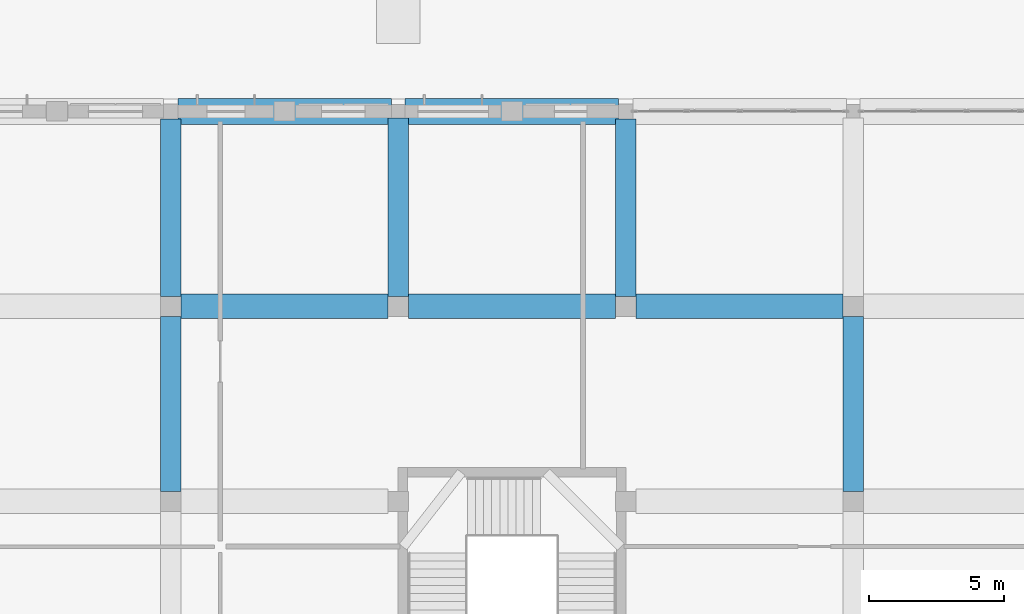
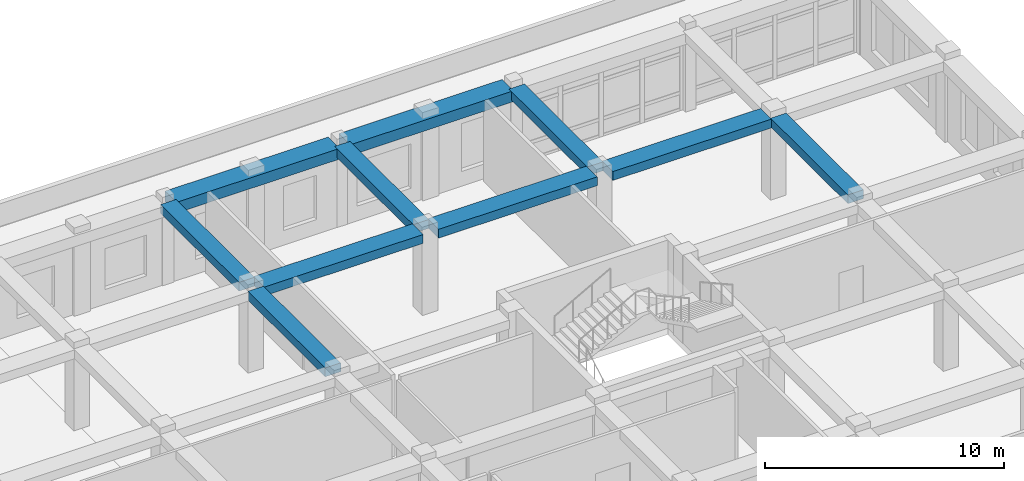
# One storey, part 39 of 111: 10 beams.
"""IFC4 building model written with IfcOpenShell, lengths in metres."""

from ifc_helpers import new_model, si_unit, derived_unit, direction, frame, origin, origin_2d, place, context, subcontext, project, spatial, rectangle, extrude, material, material_profile, profile_set, type_object, element, save


model = new_model("IFC4")

# Units and contexts
model_context = context("Model", 3, precision=1e-05, world=origin(), true_north=direction((0.0, 1.0)))
body_context = subcontext(model_context, "Body", "Model", "MODEL_VIEW")
ifc_project = project(units=[si_unit("LENGTHUNIT", "METRE"), si_unit("AREAUNIT", "SQUARE_METRE"), si_unit("VOLUMEUNIT", "CUBIC_METRE"), si_unit("PLANEANGLEUNIT", "RADIAN"), si_unit("MASSUNIT", "GRAM", prefix="KILO"), derived_unit("THERMALTRANSMITTANCEUNIT", [(si_unit("POWERUNIT", "WATT"), 1), (si_unit("LENGTHUNIT", "METRE"), -2), (si_unit("THERMODYNAMICTEMPERATUREUNIT", "KELVIN"), -1)])], contexts=[model_context])

# Site, building, storey
site_placement = place(None, origin())
site = spatial("IfcSite", under=ifc_project, at=site_placement, CompositionType="ELEMENT")
building_placement = place(site_placement, origin())
building = spatial("IfcBuilding", under=site, at=building_placement, Name="Veybourne Emporium", CompositionType="ELEMENT")
storey_placement = place(building_placement, frame((0.0, 0.0, 9.89990234375)))
storey = spatial("IfcBuildingStorey", under=building, at=storey_placement, Name="L02", CompositionType="ELEMENT", Elevation=9.89990234375)

# Beams
ifc_material = material(Name="Concrete C32/40", Category="concrete")
ifc_material_profile_1 = material_profile(ifc_material, rectangle(XDim=0.89990234375, YDim=0.449951171875, at=origin_2d()), Name="RC 900x450")
ifc_profile_set_1 = profile_set([ifc_material_profile_1], Name="Concrete C32/40")
beam_type_1 = type_object("IfcBeamType", Name="RCBeam_BB-03", PredefinedType="BEAM", material=ifc_profile_set_1)
beam_1_placement = place(storey_placement, frame((67.574951171875, 100.800048828125, 3.955078125), z_axis=(1.0, 0.0, 0.0), x_axis=(0.0, 1.0, 0.0)))
element("IfcBeam", 1, at=beam_1_placement, inside=storey, type_object=beam_type_1, Name="L02 X-grid beam BB-03 (8,14)", PredefinedType="BEAM", context=body_context, shape_type="SweptSolid", body=[
    extrude(rectangle(XDim=0.89990234375, YDim=0.449951171875, at=origin_2d()), origin(), (0.0, 0.0, 1.0), 7.650146484375),
])
for number, where, z_axis, x_axis, name in (
    (2, (75.97509765625, 100.800048828125, 3.955078125), (1.0, 0.0, 0.0), (0.0, 1.0, 0.0), "L02 X-grid beam BB-03 (9,14)"),
    (3, (84.375, 100.800048828125, 3.955078125), (1.0, 0.0, 0.0), (0.0, 1.0, 0.0), "L02 X-grid beam BB-03 (10,14)"),
):
    element("IfcBeam", number, at=place(storey_placement, frame(where, z_axis=z_axis, x_axis=x_axis)), inside=storey, type_object=beam_type_1, Name=name, PredefinedType="BEAM", context=body_context, shape_type="SweptSolid", body=[
        extrude(rectangle(XDim=0.89990234375, YDim=0.449951171875, at=origin_2d()), origin(), (0.0, 0.0, 1.0), 7.64990234375),
    ])
ifc_material_profile_2 = material_profile(ifc_material, rectangle(XDim=0.75, YDim=0.449951171875, at=origin_2d()), Name="RC 750x450")
ifc_profile_set_2 = profile_set([ifc_material_profile_2], Name="Concrete C32/40")
beam_type_2 = type_object("IfcBeamType", Name="RCBeam_BB-04", PredefinedType="BEAM", material=ifc_profile_set_2)
beam_2_placement = place(storey_placement, frame((67.199951171875, 93.97509765625, 3.955078125), z_axis=(0.0, 1.0, 0.0), x_axis=(-1.0, 0.0, 0.0)))
element("IfcBeam", 4, at=beam_2_placement, inside=storey, type_object=beam_type_2, Name="L02 Y-grid beam BB-04 (8,13)", PredefinedType="BEAM", context=body_context, shape_type="SweptSolid", body=[
    extrude(rectangle(XDim=0.75, YDim=0.449951171875, at=origin_2d()), origin(), (0.0, 0.0, 1.0), 6.449951171875),
])
beam_3_placement = place(storey_placement, frame((67.199951171875, 101.175048828125, 3.955078125), z_axis=(0.0, 1.0, 0.0), x_axis=(-1.0, 0.0, 0.0)))
element("IfcBeam", 5, at=beam_3_placement, inside=storey, type_object=beam_type_2, Name="L02 Y-grid beam BB-04 (8,14)", PredefinedType="BEAM", context=body_context, shape_type="SweptSolid", body=[
    extrude(rectangle(XDim=0.75, YDim=0.449951171875, at=origin_2d()), origin(), (0.0, 0.0, 1.0), 6.550048828125),
])
beam_4_placement = place(storey_placement, frame((75.60009765625, 101.175048828125, 3.955078125), z_axis=(0.0, 1.0, 0.0), x_axis=(-1.0, 0.0, 0.0)))
element("IfcBeam", 6, at=beam_4_placement, inside=storey, type_object=beam_type_2, Name="L02 Y-grid beam BB-04 (9,14)", PredefinedType="BEAM", context=body_context, shape_type="SweptSolid", body=[
    extrude(rectangle(XDim=0.75, YDim=0.449951171875, at=origin_2d()), origin(), (0.0, 0.0, 1.0), 6.574951171875),
])
beam_5_placement = place(storey_placement, frame((84.0, 101.175048828125, 3.955078125), z_axis=(0.0, 1.0, 0.0), x_axis=(-1.0, 0.0, 0.0)))
element("IfcBeam", 7, at=beam_5_placement, inside=storey, type_object=beam_type_2, Name="L02 Y-grid beam BB-04 (10,14)", PredefinedType="BEAM", context=body_context, shape_type="SweptSolid", body=[
    extrude(rectangle(XDim=0.75, YDim=0.449951171875, at=origin_2d()), origin(), (0.0, 0.0, 1.0), 6.550048828125),
])
beam_6_placement = place(storey_placement, frame((92.39990234375, 93.97509765625, 3.955078125), z_axis=(0.0, 1.0, 0.0), x_axis=(-1.0, 0.0, 0.0)))
element("IfcBeam", 8, at=beam_6_placement, inside=storey, type_object=beam_type_2, Name="L02 Y-grid beam BB-04 (11,13)", PredefinedType="BEAM", context=body_context, shape_type="SweptSolid", body=[
    extrude(rectangle(XDim=0.75, YDim=0.449951171875, at=origin_2d()), origin(), (0.0, 0.0, 1.0), 6.449951171875),
])
ifc_material_profile_3 = material_profile(ifc_material, rectangle(XDim=0.949951171875, YDim=0.550048828125, at=origin_2d()), Name="RC 950x550")
ifc_profile_set_3 = profile_set([ifc_material_profile_3], Name="Concrete C32/40")
beam_type_3 = type_object("IfcBeamType", Name="RCBeam_EB-01", PredefinedType="SPANDREL", material=ifc_profile_set_3)
for number, where, z_axis, x_axis, name in (
    (9, (67.47509765625, 108.0, 3.905029296875), (1.0, 0.0, 0.0), (0.0, 1.0, 0.0), "L02 X-grid beam EB-01 (8,15)"),
    (10, (75.85009765625, 108.0, 3.905029296875), (1.0, 0.0, 0.0), (0.0, 1.0, 0.0), "L02 X-grid beam EB-01 (9,15)"),
):
    element("IfcBeam", number, at=place(storey_placement, frame(where, z_axis=z_axis, x_axis=x_axis)), inside=storey, type_object=beam_type_3, Name=name, PredefinedType="SPANDREL", context=body_context, shape_type="SweptSolid", body=[
        extrude(rectangle(XDim=0.949951171875, YDim=0.550048828125, at=origin_2d()), origin(), (0.0, 0.0, 1.0), 7.875),
    ])

save(model, "model.ifc")
